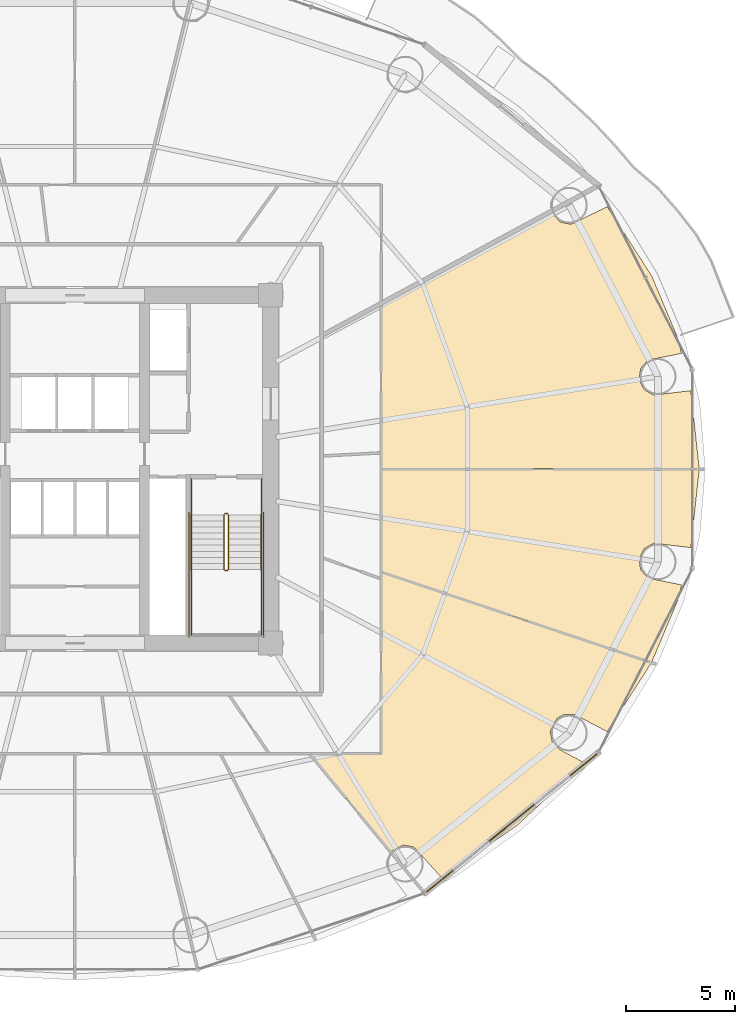
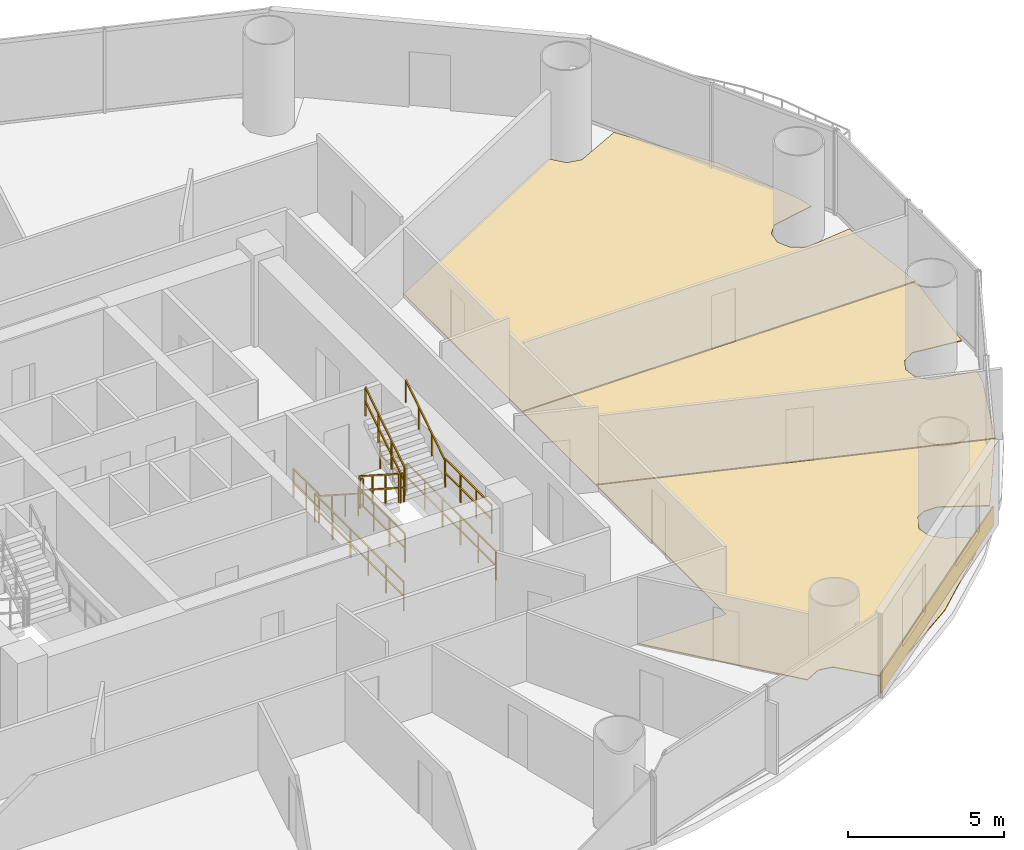
# One storey, part 29 of 30: 12 railings, 4 coverings.
"""IFC4 building model written with IfcOpenShell, lengths in metres."""

from ifc_helpers import new_model, si_unit, direction, frame, origin, origin_2d, place, context, subcontext, project, spatial, polyline, rectangle, outline, extrude, source, transform, mapped, material, layer, layer_set, type_object, element, save


model = new_model("IFC4")

# Units and contexts
model_context = context("Model", 3, precision=1e-05, world=origin(), true_north=direction((-0.2419218956, 0.970295726276)))
body_context = subcontext(model_context, "Body", "Model", "MODEL_VIEW")
ifc_project = project(units=[si_unit("LENGTHUNIT", "METRE"), si_unit("AREAUNIT", "SQUARE_METRE"), si_unit("VOLUMEUNIT", "CUBIC_METRE"), si_unit("PLANEANGLEUNIT", "RADIAN"), si_unit("MASSUNIT", "GRAM", prefix="KILO")], contexts=[model_context])

# Site, building, storey
site_placement = place(None, origin())
site = spatial("IfcSite", under=ifc_project, at=site_placement, CompositionType="ELEMENT")
building_placement = place(site_placement, origin())
building = spatial("IfcBuilding", under=site, at=building_placement, Name="Cobrevalo Terracotta Tower", CompositionType="ELEMENT")
storey_placement = place(building_placement, frame((0.0, 0.0, 63.60009765625)))
storey = spatial("IfcBuildingStorey", under=building, at=storey_placement, Name="L16", CompositionType="ELEMENT", Elevation=63.60009765625)

# Coverings
ifc_material_1 = material(Name="Engineered Brazilian hardwood flooring", Category="wood")
ifc_layer_1 = layer(ifc_material_1, 0.028076171875)
ifc_layer_set_1 = layer_set([ifc_layer_1], Name="Engineered Brazilian hardwood flooring")
covering_type_1 = type_object("IfcCoveringType", Name="Engineered Hardwood Suite Flooring 28", PredefinedType="FLOORING", material=ifc_layer_set_1)
covering_1_placement = place(storey_placement, origin())
element("IfcCovering", 1, at=covering_1_placement, inside=storey, type_object=covering_type_1, Name="Flat L16B Penthouse Family Lounge floor finish", PredefinedType="FLOORING", context=body_context, shape_type="SweptSolid", body=[
    extrude(outline(polyline([(62.488037109375, 14.7255859375), (60.99560546875, 15.503173828125), (60.48486328125, 15.5029296875), (60.181884765625, 15.3408203125), (59.86474609375, 14.74658203125), (59.96484375, 14.24560546875), (60.325439453125, 13.885009765625), (61.34423828125, 13.341064453125), (60.786376953125, 12.666259765625), (58.3095703125, 10.38232421875), (54.843505859375, 8.03271484375), (53.6025390625, 9.412353515625), (53.100341796875, 9.50732421875), (52.531982421875, 9.20751953125), (48.831787109375, 13.695068359375), (52.10498046875, 13.695068359375), (52.10498046875, 22.04443359375), (64.5126953125, 17.8798828125), (62.488037109375, 14.7255859375)])), origin(), (0.0, 0.0, 1.0), 0.02978515625),
])
covering_2_placement = place(storey_placement, origin())
element("IfcCovering", 2, at=covering_2_placement, inside=storey, type_object=covering_type_1, Name="Flat L16B Penthouse Family Lounge floor finish", PredefinedType="FLOORING", context=body_context, shape_type="SweptSolid", body=[
    extrude(outline(polyline([(52.10498046875, 22.086669921875), (52.10498046875, 26.780029296875), (66.71826171875, 26.780029296875), (66.331298828125, 23.18896484375), (64.619384765625, 23.39306640625), (64.178466796875, 23.135009765625), (63.955322265625, 22.67529296875), (64.025146484375, 22.169189453125), (64.3642578125, 21.787109375), (65.909423828125, 21.473876953125), (65.74169921875, 20.791259765625), (64.531494140625, 17.91552734375), (52.10498046875, 22.086669921875)])), origin(), (0.0, 0.0, 1.0), 0.02978515625),
])
covering_3_placement = place(storey_placement, origin())
element("IfcCovering", 3, at=covering_3_placement, inside=storey, type_object=covering_type_1, Name="Flat L16B Private Cinema Room floor finish", PredefinedType="FLOORING", context=body_context, shape_type="SweptSolid", body=[
    extrude(outline(polyline([(59.915283203125, 38.643310546875), (60.325439453125, 38.163330078125), (60.826416015625, 38.063232421875), (62.488037109375, 38.87451171875), (64.534423828125, 35.684326171875), (65.74169921875, 32.80859375), (65.909423828125, 32.126220703125), (64.3642578125, 31.81298828125), (64.025146484375, 31.4306640625), (63.955322265625, 30.924560546875), (64.178466796875, 30.465087890625), (64.619384765625, 30.206787109375), (66.331298828125, 30.4111328125), (66.71826171875, 26.820068359375), (52.10498046875, 26.820068359375), (52.10498046875, 34.41455078125), (59.915283203125, 38.643310546875)])), origin(), (0.0, 0.0, 1.0), 0.02978515625),
])

# Railings
ifc_material_2 = material(Name="Brushed stainless steel", Category="steel")
railing_type_1 = type_object("IfcRailingType", Name="Stainless Steel Stair Handrail 900", PredefinedType="HANDRAIL", material=ifc_material_2)
railing_1_placement = place(storey_placement, frame((43.35498046875, 24.699951171875, 0.179931640625)))
element("IfcRailing", 4, at=railing_1_placement, inside=storey, type_object=railing_type_1, Name="L16 ST-2 stair handrail 1", PredefinedType="HANDRAIL", context=body_context, shape_type="SweptSolid", body=[
    extrude(rectangle(XDim=0.048095703125, YDim=0.048095703125, at=origin_2d()), frame((0.0, 0.0, 0.8759765625), z_axis=(0.0, -0.841199657755, 0.540724639528), x_axis=(1.0, 0.0, 0.0)), (0.0, 0.0, 1.0), 2.995849609375),
    extrude(rectangle(XDim=0.0419921875, YDim=0.0419921875, at=origin_2d()), origin(), (0.0, 0.0, 1.0), 0.851806640625),
    extrude(rectangle(XDim=0.0419921875, YDim=0.0419921875, at=origin_2d()), frame((0.0, -0.840087890625, 0.5400390625)), (0.0, 0.0, 1.0), 0.851806640625),
    extrude(rectangle(XDim=0.0419921875, YDim=0.0419921875, at=origin_2d()), frame((0.0, -1.679931640625, 1.079833984375)), (0.0, 0.0, 1.0), 0.851806640625),
    extrude(rectangle(XDim=0.0419921875, YDim=0.0419921875, at=origin_2d()), frame((0.0, -2.52001953125, 1.619873046875)), (0.0, 0.0, 1.0), 0.851806640625),
])
railing_2_placement = place(storey_placement, frame((46.574951171875, 22.179931640625, 1.97998046875)))
element("IfcRailing", 5, at=railing_2_placement, inside=storey, type_object=railing_type_1, Name="L16 ST-2 stair handrail 2", PredefinedType="HANDRAIL", context=body_context, shape_type="SweptSolid", body=[
    extrude(rectangle(XDim=0.048095703125, YDim=0.048095703125, at=origin_2d()), frame((0.0, 0.0, 0.8759765625), z_axis=(0.0, 0.841199657755, 0.540724639528), x_axis=(-1.0, 0.0, 0.0)), (0.0, 0.0, 1.0), 2.995849609375),
    extrude(rectangle(XDim=0.0419921875, YDim=0.0419921875, at=origin_2d()), origin(), (0.0, 0.0, 1.0), 0.851806640625),
    extrude(rectangle(XDim=0.0419921875, YDim=0.0419921875, at=origin_2d()), frame((0.0, 0.840087890625, 0.5400390625)), (0.0, 0.0, 1.0), 0.851806640625),
    extrude(rectangle(XDim=0.0419921875, YDim=0.0419921875, at=origin_2d()), frame((0.0, 1.679931640625, 1.079833984375)), (0.0, 0.0, 1.0), 0.851806640625),
    extrude(rectangle(XDim=0.0419921875, YDim=0.0419921875, at=origin_2d()), frame((0.0, 2.52001953125, 1.619873046875)), (0.0, 0.0, 1.0), 0.851806640625),
])
ifc_material_3 = material(Name="Painted galvanized steel", Category="steel")
railing_type_2 = type_object("IfcRailingType", Name="Stair Well Guard Balustrade 1150", PredefinedType="GUARDRAIL", material=ifc_material_3)
railing_3_placement = place(storey_placement, frame((44.85498046875, 24.699951171875, 0.179931640625)))
element("IfcRailing", 6, at=railing_3_placement, inside=storey, type_object=railing_type_2, Name="L16 ST-2 stair guard 1", PredefinedType="GUARDRAIL", context=body_context, shape_type="SweptSolid", body=[
    extrude(rectangle(XDim=0.048095703125, YDim=0.048095703125, at=origin_2d()), frame((0.0, 0.0, 1.1259765625), z_axis=(0.0, -0.841199657755, 0.540724639528), x_axis=(1.0, 0.0, 0.0)), (0.0, 0.0, 1.0), 2.995849609375),
    extrude(rectangle(XDim=0.048095703125, YDim=0.048095703125, at=origin_2d()), frame((0.0, 0.0, 0.574951171875), z_axis=(0.0, -0.841199657755, 0.540724639528), x_axis=(1.0, 0.0, 0.0)), (0.0, 0.0, 1.0), 2.995849609375),
    extrude(rectangle(XDim=0.0419921875, YDim=0.0419921875, at=origin_2d()), origin(), (0.0, 0.0, 1.0), 1.101806640625),
    extrude(rectangle(XDim=0.0419921875, YDim=0.0419921875, at=origin_2d()), frame((0.0, -0.840087890625, 0.5400390625)), (0.0, 0.0, 1.0), 1.101806640625),
    extrude(rectangle(XDim=0.0419921875, YDim=0.0419921875, at=origin_2d()), frame((0.0, -1.679931640625, 1.079833984375)), (0.0, 0.0, 1.0), 1.101806640625),
    extrude(rectangle(XDim=0.0419921875, YDim=0.0419921875, at=origin_2d()), frame((0.0, -2.52001953125, 1.619873046875)), (0.0, 0.0, 1.0), 1.101806640625),
])
railing_4_placement = place(storey_placement, frame((44.905029296875, 22.1298828125, 1.7998046875)))
element("IfcRailing", 7, at=railing_4_placement, inside=storey, type_object=railing_type_2, Name="L16 ST-2 stair guard 2", PredefinedType="GUARDRAIL", context=body_context, shape_type="SweptSolid", body=[
    extrude(rectangle(XDim=0.048095703125, YDim=0.048095703125, at=origin_2d()), frame((0.0, 0.0, 1.1259765625), z_axis=(1.0, 0.0, 0.0), x_axis=(0.0, 1.0, 0.0)), (0.0, 0.0, 1.0), 0.119873046875),
    extrude(rectangle(XDim=0.048095703125, YDim=0.048095703125, at=origin_2d()), frame((0.0, 0.0, 0.574951171875), z_axis=(1.0, 0.0, 0.0), x_axis=(0.0, 1.0, 0.0)), (0.0, 0.0, 1.0), 0.119873046875),
    extrude(rectangle(XDim=0.0419921875, YDim=0.0419921875, at=origin_2d()), origin(), (0.0, 0.0, 1.0), 1.101806640625),
    extrude(rectangle(XDim=0.0419921875, YDim=0.0419921875, at=origin_2d()), frame((0.119873046875, 0.0, 0.0)), (0.0, 0.0, 1.0), 1.101806640625),
])
for number, where, name in (
    (8, (43.35498046875, 22.179931640625, 1.7998046875), "L16 ST-2 stair guard 3"),
    (9, (46.574951171875, 22.179931640625, 1.7998046875), "L16 ST-2 stair guard 4"),
):
    element("IfcRailing", number, at=place(storey_placement, frame(where)), inside=storey, type_object=railing_type_2, Name=name, PredefinedType="GUARDRAIL", context=body_context, shape_type="SweptSolid", body=[
        extrude(rectangle(XDim=0.048095703125, YDim=0.048095703125, at=origin_2d()), frame((0.0, 0.0, 1.1259765625), z_axis=(0.0, -1.0, 0.0), x_axis=(1.0, 0.0, 0.0)), (0.0, 0.0, 1.0), 3.0048828125),
        extrude(rectangle(XDim=0.048095703125, YDim=0.048095703125, at=origin_2d()), frame((0.0, 0.0, 0.574951171875), z_axis=(0.0, -1.0, 0.0), x_axis=(1.0, 0.0, 0.0)), (0.0, 0.0, 1.0), 3.0048828125),
        extrude(rectangle(XDim=0.0419921875, YDim=0.0419921875, at=origin_2d()), origin(), (0.0, 0.0, 1.0), 1.101806640625),
        extrude(rectangle(XDim=0.0419921875, YDim=0.0419921875, at=origin_2d()), frame((0.0, -1.001708984375, 0.0)), (0.0, 0.0, 1.0), 1.101806640625),
        extrude(rectangle(XDim=0.0419921875, YDim=0.0419921875, at=origin_2d()), frame((0.0, -2.003173828125, 0.0)), (0.0, 0.0, 1.0), 1.101806640625),
        extrude(rectangle(XDim=0.0419921875, YDim=0.0419921875, at=origin_2d()), frame((0.0, -3.0048828125, 0.0)), (0.0, 0.0, 1.0), 1.101806640625),
    ])
railing_5_placement = place(storey_placement, frame((45.074951171875, 22.179931640625, 1.97998046875)))
element("IfcRailing", 10, at=railing_5_placement, inside=storey, type_object=railing_type_2, Name="L16 ST-2 stair guard 6", PredefinedType="GUARDRAIL", context=body_context, shape_type="SweptSolid", body=[
    extrude(rectangle(XDim=0.048095703125, YDim=0.048095703125, at=origin_2d()), frame((0.0, 0.0, 1.1259765625), z_axis=(0.0, 0.841199657755, 0.540724639528), x_axis=(-1.0, 0.0, 0.0)), (0.0, 0.0, 1.0), 2.995849609375),
    extrude(rectangle(XDim=0.048095703125, YDim=0.048095703125, at=origin_2d()), frame((0.0, 0.0, 0.574951171875), z_axis=(0.0, 0.841199657755, 0.540724639528), x_axis=(-1.0, 0.0, 0.0)), (0.0, 0.0, 1.0), 2.995849609375),
    extrude(rectangle(XDim=0.0419921875, YDim=0.0419921875, at=origin_2d()), origin(), (0.0, 0.0, 1.0), 1.101806640625),
    extrude(rectangle(XDim=0.0419921875, YDim=0.0419921875, at=origin_2d()), frame((0.0, 0.840087890625, 0.5400390625)), (0.0, 0.0, 1.0), 1.101806640625),
    extrude(rectangle(XDim=0.0419921875, YDim=0.0419921875, at=origin_2d()), frame((0.0, 1.679931640625, 1.079833984375)), (0.0, 0.0, 1.0), 1.101806640625),
    extrude(rectangle(XDim=0.0419921875, YDim=0.0419921875, at=origin_2d()), frame((0.0, 2.52001953125, 1.619873046875)), (0.0, 0.0, 1.0), 1.101806640625),
])
railing_6_placement = place(storey_placement, frame((44.905029296875, 24.75, 0.0)))
element("IfcRailing", 11, at=railing_6_placement, inside=storey, type_object=railing_type_2, Name="L16 ST-2 stair guard 7", PredefinedType="GUARDRAIL", context=body_context, shape_type="SweptSolid", body=[
    extrude(rectangle(XDim=0.048095703125, YDim=0.048095703125, at=origin_2d()), frame((0.0, 0.0, 1.1259765625), z_axis=(1.0, 0.0, 0.0), x_axis=(0.0, 1.0, 0.0)), (0.0, 0.0, 1.0), 0.119873046875),
    extrude(rectangle(XDim=0.048095703125, YDim=0.048095703125, at=origin_2d()), frame((0.0, 0.0, 0.574951171875), z_axis=(1.0, 0.0, 0.0), x_axis=(0.0, 1.0, 0.0)), (0.0, 0.0, 1.0), 0.119873046875),
    extrude(rectangle(XDim=0.0419921875, YDim=0.0419921875, at=origin_2d()), origin(), (0.0, 0.0, 1.0), 1.101806640625),
    extrude(rectangle(XDim=0.0419921875, YDim=0.0419921875, at=origin_2d()), frame((0.119873046875, 0.0, 0.0)), (0.0, 0.0, 1.0), 1.101806640625),
])
for number, where, name in (
    (12, (43.35498046875, 26.35009765625, 0.0), "L16 ST-2 stair guard 8"),
    (13, (46.574951171875, 26.35009765625, 0.0), "L16 ST-2 stair guard 9"),
):
    element("IfcRailing", number, at=place(storey_placement, frame(where)), inside=storey, type_object=railing_type_2, Name=name, PredefinedType="GUARDRAIL", context=body_context, shape_type="SweptSolid", body=[
        extrude(rectangle(XDim=0.048095703125, YDim=0.048095703125, at=origin_2d()), frame((0.0, 0.0, 1.1259765625), z_axis=(0.0, -1.0, 0.0), x_axis=(1.0, 0.0, 0.0)), (0.0, 0.0, 1.0), 1.650146484375),
        extrude(rectangle(XDim=0.048095703125, YDim=0.048095703125, at=origin_2d()), frame((0.0, 0.0, 0.574951171875), z_axis=(0.0, -1.0, 0.0), x_axis=(1.0, 0.0, 0.0)), (0.0, 0.0, 1.0), 1.650146484375),
        extrude(rectangle(XDim=0.0419921875, YDim=0.0419921875, at=origin_2d()), origin(), (0.0, 0.0, 1.0), 1.101806640625),
        extrude(rectangle(XDim=0.0419921875, YDim=0.0419921875, at=origin_2d()), frame((0.0, -0.8251953125, 0.0)), (0.0, 0.0, 1.0), 1.101806640625),
        extrude(rectangle(XDim=0.0419921875, YDim=0.0419921875, at=origin_2d()), frame((0.0, -1.650146484375, 0.0)), (0.0, 0.0, 1.0), 1.101806640625),
    ])
for number, where, name in (
    (14, (43.2548828125, 24.800048828125, 0.0), "L16 ST-2 stair guard 10"),
    (15, (46.675048828125, 24.800048828125, 0.0), "L16 ST-2 stair guard 11"),
):
    element("IfcRailing", number, at=place(storey_placement, frame(where)), inside=storey, type_object=railing_type_2, Name=name, PredefinedType="GUARDRAIL", context=body_context, shape_type="SweptSolid", body=[
        extrude(rectangle(XDim=0.048095703125, YDim=0.048095703125, at=origin_2d()), frame((0.0, 0.0, 1.1259765625), z_axis=(0.0, -1.0, 0.0), x_axis=(1.0, 0.0, 0.0)), (0.0, 0.0, 1.0), 5.72509765625),
        extrude(rectangle(XDim=0.048095703125, YDim=0.048095703125, at=origin_2d()), frame((0.0, 0.0, 0.574951171875), z_axis=(0.0, -1.0, 0.0), x_axis=(1.0, 0.0, 0.0)), (0.0, 0.0, 1.0), 5.72509765625),
        extrude(rectangle(XDim=0.0419921875, YDim=0.0419921875, at=origin_2d()), origin(), (0.0, 0.0, 1.0), 1.101806640625),
        extrude(rectangle(XDim=0.0419921875, YDim=0.0419921875, at=origin_2d()), frame((0.0, -1.14501953125, 0.0)), (0.0, 0.0, 1.0), 1.101806640625),
        extrude(rectangle(XDim=0.0419921875, YDim=0.0419921875, at=origin_2d()), frame((0.0, -2.2900390625, 0.0)), (0.0, 0.0, 1.0), 1.101806640625),
        extrude(rectangle(XDim=0.0419921875, YDim=0.0419921875, at=origin_2d()), frame((0.0, -3.43505859375, 0.0)), (0.0, 0.0, 1.0), 1.101806640625),
        extrude(rectangle(XDim=0.0419921875, YDim=0.0419921875, at=origin_2d()), frame((0.0, -4.580078125, 0.0)), (0.0, 0.0, 1.0), 1.101806640625),
        extrude(rectangle(XDim=0.0419921875, YDim=0.0419921875, at=origin_2d()), frame((0.0, -5.72509765625, 0.0)), (0.0, 0.0, 1.0), 1.101806640625),
    ])

# Covering
ifc_material_4 = material(Name="Glazed terracotta facade cladding tile", Category="masonry")
ifc_layer_2 = layer(ifc_material_4, 0.044921875)
ifc_layer_set_2 = layer_set([ifc_layer_2], Name="Glazed terracotta facade cladding tile")
covering_type_2 = type_object("IfcCoveringType", Name="Architectural terracotta rainscreen spandrel cladding 45 mm", PredefinedType="CLADDING", material=ifc_layer_set_2)
shared_shape = source(origin(), body_context, "Body", "SweptSolid", [
    extrude(rectangle(XDim=10.086669921875, YDim=0.044921875, at=origin_2d()), origin(), (0.0, 0.0, 1.0), 0.760009765625),
])
covering_4_placement = place(storey_placement, frame((58.09130859375, 10.523193359375, 0.0400390625), z_axis=(0.0, 0.0, 1.0), x_axis=(0.777007547884, 0.629491279154, 0.0)))
element("IfcCovering", 16, at=covering_4_placement, inside=storey, type_object=covering_type_2, Name="L16 terracotta spandrel cladding S14", PredefinedType="CLADDING", context=body_context, shape_type="MappedRepresentation", body=[
    mapped(shared_shape, transform((0.0, 0.0, 0.0), scale=1.0)),
])

save(model, "model.ifc")
